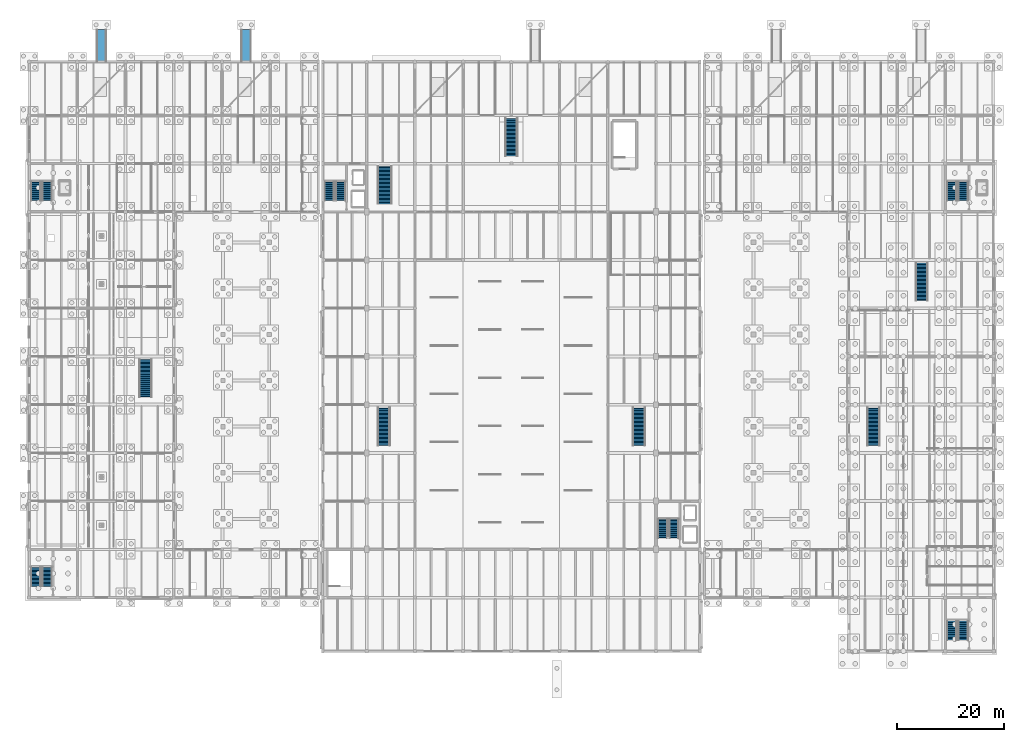
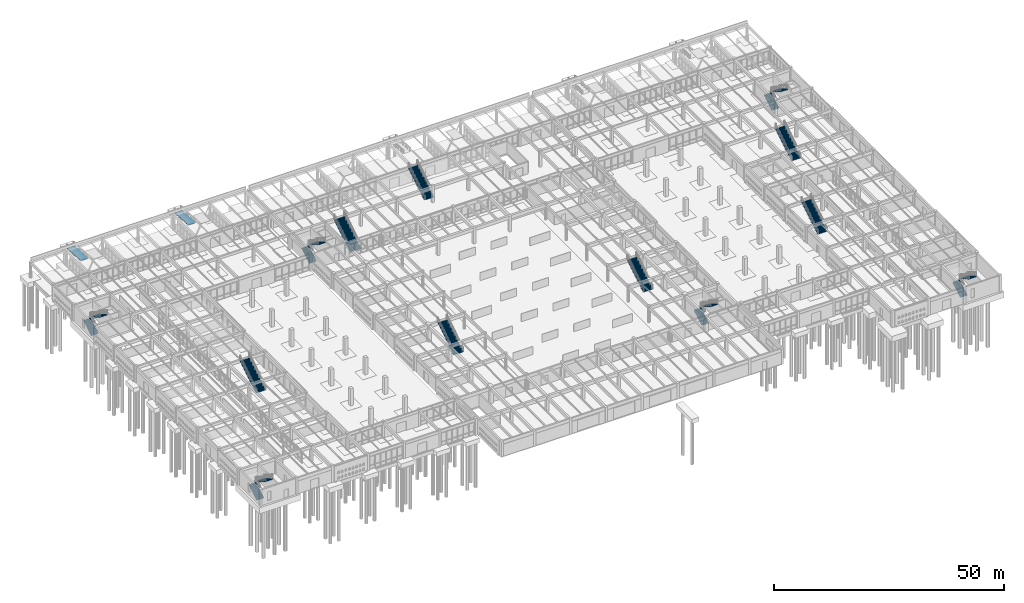
# One storey, part 171 of 186: 19 stair flights, 2 ramp flights, 15 elements without a shape of their own.
"""IFC4 building model written with IfcOpenShell, lengths in metres."""

from ifc_helpers import new_model, si_unit, direction, frame, origin, place, context, subcontext, project, spatial, polyline, outline, extrude, material, type_object, element, aggregate, save


model = new_model("IFC4")

# Units and contexts
model_context = context("Model", 3, precision=1e-05, world=origin(), true_north=direction((0.0, 1.0)))
body_context = subcontext(model_context, "Body", "Model", "MODEL_VIEW")
ifc_project = project(units=[si_unit("LENGTHUNIT", "METRE"), si_unit("AREAUNIT", "SQUARE_METRE"), si_unit("VOLUMEUNIT", "CUBIC_METRE"), si_unit("PLANEANGLEUNIT", "RADIAN"), si_unit("MASSUNIT", "GRAM", prefix="KILO")], contexts=[model_context])

# Site, building, storey
site_placement = place(None, origin())
site = spatial("IfcSite", under=ifc_project, at=site_placement, CompositionType="ELEMENT")
building_placement = place(site_placement, origin())
building = spatial("IfcBuilding", under=site, at=building_placement, Name="Ornek Quay Market", CompositionType="ELEMENT")
storey_placement = place(building_placement, origin())
storey = spatial("IfcBuildingStorey", under=building, at=storey_placement, Name="L00", CompositionType="ELEMENT", Elevation=0.0)

# Stair, stair flights
ifc_material = material(Name="Precast concrete C40/50", Category="concrete")
stair_type_1 = type_object("IfcStairType", Name="ST-CORE-L00-L01", PredefinedType="HALF_TURN_STAIR", material=ifc_material)
stair_1_placement = place(storey_placement, origin())
stair_1 = element("IfcStair", 1, at=stair_1_placement, inside=storey, type_object=stair_type_1, Name="Core stair ST-01-L00 (L00 to L01)", PredefinedType="HALF_TURN_STAIR")
stair_flight_type_1 = type_object("IfcStairFlightType", Name="STF-1800-WAIST200", PredefinedType="STRAIGHT", material=ifc_material)
stair_flight_1_placement = place(storey_placement, frame((1.199951171875, 94.095947265625, 0.0), z_axis=(0.0, 0.0, 1.0), x_axis=(0.0, 1.0, 0.0)))
stair_flight_1 = element("IfcStairFlight", 2, at=stair_flight_1_placement, type_object=stair_flight_type_1, Name="ST-01-L00 flight 1", NumberOfRisers=15, NumberOfTreads=14, PredefinedType="STRAIGHT", RiserHeight=0.15, TreadLength=0.25, context=body_context, shape_type="SweptSolid", body=[
    extrude(outline(polyline([(0.0, 0.0), (0.0, 0.14990234375), (0.25, 0.14990234375), (0.25, 0.300048828125), (0.5, 0.300048828125), (0.5, 0.449951171875), (0.75, 0.449951171875), (0.75, 0.60009765625), (1.0, 0.60009765625), (1.0, 0.75), (1.25, 0.75), (1.25, 0.89990234375), (1.5, 0.89990234375), (1.5, 1.050048828125), (1.75, 1.050048828125), (1.75, 1.199951171875), (2.0, 1.199951171875), (2.0, 1.35009765625), (2.25, 1.35009765625), (2.25, 1.5), (2.5, 1.5), (2.5, 1.64990234375), (2.75, 1.64990234375), (2.75, 1.800048828125), (3.0, 1.800048828125), (3.0, 1.949951171875), (3.25, 1.949951171875), (3.25, 2.10009765625), (3.5, 2.10009765625), (3.5, 2.25), (3.5, 1.907470703125), (0.32080078125, 0.0), (0.0, 0.0)])), frame((0.0, 0.89990234375, 0.0), z_axis=(0.0, -1.0, 0.0), x_axis=(1.0, 0.0, 0.0)), (0.0, 0.0, 1.0), 1.800048828125),
])
stair_flight_2_placement = place(storey_placement, frame((3.39990234375, 97.595947265625, 2.25), z_axis=(0.0, 0.0, 1.0), x_axis=(0.0, -1.0, 0.0)))
stair_flight_2 = element("IfcStairFlight", 3, at=stair_flight_2_placement, type_object=stair_flight_type_1, Name="ST-01-L00 flight 2", NumberOfRisers=15, NumberOfTreads=14, PredefinedType="STRAIGHT", RiserHeight=0.15, TreadLength=0.25, context=body_context, shape_type="SweptSolid", body=[
    extrude(outline(polyline([(0.0, 0.0), (0.0, 0.14990234375), (0.25, 0.14990234375), (0.25, 0.300048828125), (0.5, 0.300048828125), (0.5, 0.449951171875), (0.75, 0.449951171875), (0.75, 0.60009765625), (1.0, 0.60009765625), (1.0, 0.75), (1.25, 0.75), (1.25, 0.89990234375), (1.5, 0.89990234375), (1.5, 1.050048828125), (1.75, 1.050048828125), (1.75, 1.199951171875), (2.0, 1.199951171875), (2.0, 1.35009765625), (2.25, 1.35009765625), (2.25, 1.5), (2.5, 1.5), (2.5, 1.64990234375), (2.75, 1.64990234375), (2.75, 1.800048828125), (3.0, 1.800048828125), (3.0, 1.949951171875), (3.25, 1.949951171875), (3.25, 2.10009765625), (3.5, 2.10009765625), (3.5, 2.25), (3.5, 1.907470703125), (0.32080078125, 0.0), (0.0, 0.0)])), frame((0.0, 0.89990234375, 0.0), z_axis=(0.0, -1.0, 0.0), x_axis=(1.0, 0.0, 0.0)), (0.0, 0.0, 1.0), 1.800048828125),
])
aggregate(stair_1, [stair_flight_1, stair_flight_2])

stair_2_placement = place(storey_placement, origin())
stair_2 = element("IfcStair", 4, at=stair_2_placement, inside=storey, type_object=stair_type_1, Name="Core stair ST-02-L00 (L00 to L01)", PredefinedType="HALF_TURN_STAIR")
stair_flight_3_placement = place(storey_placement, frame((1.199951171875, 22.095947265625, 0.0), z_axis=(0.0, 0.0, 1.0), x_axis=(0.0, 1.0, 0.0)))
stair_flight_3 = element("IfcStairFlight", 5, at=stair_flight_3_placement, type_object=stair_flight_type_1, Name="ST-02-L00 flight 1", NumberOfRisers=15, NumberOfTreads=14, PredefinedType="STRAIGHT", RiserHeight=0.15, TreadLength=0.25, context=body_context, shape_type="SweptSolid", body=[
    extrude(outline(polyline([(0.0, 0.0), (0.0, 0.14990234375), (0.25, 0.14990234375), (0.25, 0.300048828125), (0.5, 0.300048828125), (0.5, 0.449951171875), (0.75, 0.449951171875), (0.75, 0.60009765625), (1.0, 0.60009765625), (1.0, 0.75), (1.25, 0.75), (1.25, 0.89990234375), (1.5, 0.89990234375), (1.5, 1.050048828125), (1.75, 1.050048828125), (1.75, 1.199951171875), (2.0, 1.199951171875), (2.0, 1.35009765625), (2.25, 1.35009765625), (2.25, 1.5), (2.5, 1.5), (2.5, 1.64990234375), (2.75, 1.64990234375), (2.75, 1.800048828125), (3.0, 1.800048828125), (3.0, 1.949951171875), (3.25, 1.949951171875), (3.25, 2.10009765625), (3.5, 2.10009765625), (3.5, 2.25), (3.5, 1.907470703125), (0.32080078125, 0.0), (0.0, 0.0)])), frame((0.0, 0.89990234375, 0.0), z_axis=(0.0, -1.0, 0.0), x_axis=(1.0, 0.0, 0.0)), (0.0, 0.0, 1.0), 1.800048828125),
])
stair_flight_4_placement = place(storey_placement, frame((3.39990234375, 25.595947265625, 2.25), z_axis=(0.0, 0.0, 1.0), x_axis=(0.0, -1.0, 0.0)))
stair_flight_4 = element("IfcStairFlight", 6, at=stair_flight_4_placement, type_object=stair_flight_type_1, Name="ST-02-L00 flight 2", NumberOfRisers=15, NumberOfTreads=14, PredefinedType="STRAIGHT", RiserHeight=0.15, TreadLength=0.25, context=body_context, shape_type="SweptSolid", body=[
    extrude(outline(polyline([(0.0, 0.0), (0.0, 0.14990234375), (0.25, 0.14990234375), (0.25, 0.300048828125), (0.5, 0.300048828125), (0.5, 0.449951171875), (0.75, 0.449951171875), (0.75, 0.60009765625), (1.0, 0.60009765625), (1.0, 0.75), (1.25, 0.75), (1.25, 0.89990234375), (1.5, 0.89990234375), (1.5, 1.050048828125), (1.75, 1.050048828125), (1.75, 1.199951171875), (2.0, 1.199951171875), (2.0, 1.35009765625), (2.25, 1.35009765625), (2.25, 1.5), (2.5, 1.5), (2.5, 1.64990234375), (2.75, 1.64990234375), (2.75, 1.800048828125), (3.0, 1.800048828125), (3.0, 1.949951171875), (3.25, 1.949951171875), (3.25, 2.10009765625), (3.5, 2.10009765625), (3.5, 2.25), (3.5, 1.907470703125), (0.32080078125, 0.0), (0.0, 0.0)])), frame((0.0, 0.89990234375, 0.0), z_axis=(0.0, -1.0, 0.0), x_axis=(1.0, 0.0, 0.0)), (0.0, 0.0, 1.0), 1.800048828125),
])
aggregate(stair_2, [stair_flight_3, stair_flight_4])

stair_3_placement = place(storey_placement, origin())
stair_3 = element("IfcStair", 7, at=stair_3_placement, inside=storey, type_object=stair_type_1, Name="Core stair ST-03-L00 (L00 to L01)", PredefinedType="HALF_TURN_STAIR")
stair_flight_5_placement = place(storey_placement, frame((56.0, 94.095947265625, 0.0), z_axis=(0.0, 0.0, 1.0), x_axis=(0.0, 1.0, 0.0)))
stair_flight_5 = element("IfcStairFlight", 8, at=stair_flight_5_placement, type_object=stair_flight_type_1, Name="ST-03-L00 flight 1", NumberOfRisers=15, NumberOfTreads=14, PredefinedType="STRAIGHT", RiserHeight=0.15, TreadLength=0.25, context=body_context, shape_type="SweptSolid", body=[
    extrude(outline(polyline([(0.0, 0.0), (0.0, 0.14990234375), (0.25, 0.14990234375), (0.25, 0.300048828125), (0.5, 0.300048828125), (0.5, 0.449951171875), (0.75, 0.449951171875), (0.75, 0.60009765625), (1.0, 0.60009765625), (1.0, 0.75), (1.25, 0.75), (1.25, 0.89990234375), (1.5, 0.89990234375), (1.5, 1.050048828125), (1.75, 1.050048828125), (1.75, 1.199951171875), (2.0, 1.199951171875), (2.0, 1.35009765625), (2.25, 1.35009765625), (2.25, 1.5), (2.5, 1.5), (2.5, 1.64990234375), (2.75, 1.64990234375), (2.75, 1.800048828125), (3.0, 1.800048828125), (3.0, 1.949951171875), (3.25, 1.949951171875), (3.25, 2.10009765625), (3.5, 2.10009765625), (3.5, 2.25), (3.5, 1.907470703125), (0.32080078125, 0.0), (0.0, 0.0)])), frame((0.0, 0.89990234375, 0.0), z_axis=(0.0, -1.0, 0.0), x_axis=(1.0, 0.0, 0.0)), (0.0, 0.0, 1.0), 1.800048828125),
])
stair_flight_6_placement = place(storey_placement, frame((58.199951171875, 97.595947265625, 2.25), z_axis=(0.0, 0.0, 1.0), x_axis=(0.0, -1.0, 0.0)))
stair_flight_6 = element("IfcStairFlight", 9, at=stair_flight_6_placement, type_object=stair_flight_type_1, Name="ST-03-L00 flight 2", NumberOfRisers=15, NumberOfTreads=14, PredefinedType="STRAIGHT", RiserHeight=0.15, TreadLength=0.25, context=body_context, shape_type="SweptSolid", body=[
    extrude(outline(polyline([(0.0, 0.0), (0.0, 0.14990234375), (0.25, 0.14990234375), (0.25, 0.300048828125), (0.5, 0.300048828125), (0.5, 0.449951171875), (0.75, 0.449951171875), (0.75, 0.60009765625), (1.0, 0.60009765625), (1.0, 0.75), (1.25, 0.75), (1.25, 0.89990234375), (1.5, 0.89990234375), (1.5, 1.050048828125), (1.75, 1.050048828125), (1.75, 1.199951171875), (2.0, 1.199951171875), (2.0, 1.35009765625), (2.25, 1.35009765625), (2.25, 1.5), (2.5, 1.5), (2.5, 1.64990234375), (2.75, 1.64990234375), (2.75, 1.800048828125), (3.0, 1.800048828125), (3.0, 1.949951171875), (3.25, 1.949951171875), (3.25, 2.10009765625), (3.5, 2.10009765625), (3.5, 2.25), (3.5, 1.907470703125), (0.32080078125, 0.0), (0.0, 0.0)])), frame((0.0, 0.89990234375, 0.0), z_axis=(0.0, -1.0, 0.0), x_axis=(1.0, 0.0, 0.0)), (0.0, 0.0, 1.0), 1.800048828125),
])
aggregate(stair_3, [stair_flight_5, stair_flight_6])

stair_4_placement = place(storey_placement, origin())
stair_4 = element("IfcStair", 10, at=stair_4_placement, inside=storey, type_object=stair_type_1, Name="Core stair ST-04-L00 (L00 to L01)", PredefinedType="HALF_TURN_STAIR")
stair_flight_7_placement = place(storey_placement, frame((118.199951171875, 31.095947265625, 0.0), z_axis=(0.0, 0.0, 1.0), x_axis=(0.0, 1.0, 0.0)))
stair_flight_7 = element("IfcStairFlight", 11, at=stair_flight_7_placement, type_object=stair_flight_type_1, Name="ST-04-L00 flight 1", NumberOfRisers=15, NumberOfTreads=14, PredefinedType="STRAIGHT", RiserHeight=0.15, TreadLength=0.25, context=body_context, shape_type="SweptSolid", body=[
    extrude(outline(polyline([(0.0, 0.0), (0.0, 0.14990234375), (0.25, 0.14990234375), (0.25, 0.300048828125), (0.5, 0.300048828125), (0.5, 0.449951171875), (0.75, 0.449951171875), (0.75, 0.60009765625), (1.0, 0.60009765625), (1.0, 0.75), (1.25, 0.75), (1.25, 0.89990234375), (1.5, 0.89990234375), (1.5, 1.050048828125), (1.75, 1.050048828125), (1.75, 1.199951171875), (2.0, 1.199951171875), (2.0, 1.35009765625), (2.25, 1.35009765625), (2.25, 1.5), (2.5, 1.5), (2.5, 1.64990234375), (2.75, 1.64990234375), (2.75, 1.800048828125), (3.0, 1.800048828125), (3.0, 1.949951171875), (3.25, 1.949951171875), (3.25, 2.10009765625), (3.5, 2.10009765625), (3.5, 2.25), (3.5, 1.907470703125), (0.32080078125, 0.0), (0.0, 0.0)])), frame((0.0, 0.89990234375, 0.0), z_axis=(0.0, -1.0, 0.0), x_axis=(1.0, 0.0, 0.0)), (0.0, 0.0, 1.0), 1.800048828125),
])
stair_flight_8_placement = place(storey_placement, frame((120.39990234375, 34.595947265625, 2.25), z_axis=(0.0, 0.0, 1.0), x_axis=(0.0, -1.0, 0.0)))
stair_flight_8 = element("IfcStairFlight", 12, at=stair_flight_8_placement, type_object=stair_flight_type_1, Name="ST-04-L00 flight 2", NumberOfRisers=15, NumberOfTreads=14, PredefinedType="STRAIGHT", RiserHeight=0.15, TreadLength=0.25, context=body_context, shape_type="SweptSolid", body=[
    extrude(outline(polyline([(0.0, 0.0), (0.0, 0.14990234375), (0.25, 0.14990234375), (0.25, 0.300048828125), (0.5, 0.300048828125), (0.5, 0.449951171875), (0.75, 0.449951171875), (0.75, 0.60009765625), (1.0, 0.60009765625), (1.0, 0.75), (1.25, 0.75), (1.25, 0.89990234375), (1.5, 0.89990234375), (1.5, 1.050048828125), (1.75, 1.050048828125), (1.75, 1.199951171875), (2.0, 1.199951171875), (2.0, 1.35009765625), (2.25, 1.35009765625), (2.25, 1.5), (2.5, 1.5), (2.5, 1.64990234375), (2.75, 1.64990234375), (2.75, 1.800048828125), (3.0, 1.800048828125), (3.0, 1.949951171875), (3.25, 1.949951171875), (3.25, 2.10009765625), (3.5, 2.10009765625), (3.5, 2.25), (3.5, 1.907470703125), (0.32080078125, 0.0), (0.0, 0.0)])), frame((0.0, 0.89990234375, 0.0), z_axis=(0.0, -1.0, 0.0), x_axis=(1.0, 0.0, 0.0)), (0.0, 0.0, 1.0), 1.800048828125),
])
aggregate(stair_4, [stair_flight_7, stair_flight_8])

stair_5_placement = place(storey_placement, origin())
stair_5 = element("IfcStair", 13, at=stair_5_placement, inside=storey, type_object=stair_type_1, Name="Core stair ST-05-L00 (L00 to L01)", PredefinedType="HALF_TURN_STAIR")
stair_flight_9_placement = place(storey_placement, frame((172.199951171875, 94.095947265625, 0.0), z_axis=(0.0, 0.0, 1.0), x_axis=(0.0, 1.0, 0.0)))
stair_flight_9 = element("IfcStairFlight", 14, at=stair_flight_9_placement, type_object=stair_flight_type_1, Name="ST-05-L00 flight 1", NumberOfRisers=15, NumberOfTreads=14, PredefinedType="STRAIGHT", RiserHeight=0.15, TreadLength=0.25, context=body_context, shape_type="SweptSolid", body=[
    extrude(outline(polyline([(0.0, 0.0), (0.0, 0.14990234375), (0.25, 0.14990234375), (0.25, 0.300048828125), (0.5, 0.300048828125), (0.5, 0.449951171875), (0.75, 0.449951171875), (0.75, 0.60009765625), (1.0, 0.60009765625), (1.0, 0.75), (1.25, 0.75), (1.25, 0.89990234375), (1.5, 0.89990234375), (1.5, 1.050048828125), (1.75, 1.050048828125), (1.75, 1.199951171875), (2.0, 1.199951171875), (2.0, 1.35009765625), (2.25, 1.35009765625), (2.25, 1.5), (2.5, 1.5), (2.5, 1.64990234375), (2.75, 1.64990234375), (2.75, 1.800048828125), (3.0, 1.800048828125), (3.0, 1.949951171875), (3.25, 1.949951171875), (3.25, 2.10009765625), (3.5, 2.10009765625), (3.5, 2.25), (3.5, 1.907470703125), (0.32080078125, 0.0), (0.0, 0.0)])), frame((0.0, 0.89990234375, 0.0), z_axis=(0.0, -1.0, 0.0), x_axis=(1.0, 0.0, 0.0)), (0.0, 0.0, 1.0), 1.800048828125),
])
stair_flight_10_placement = place(storey_placement, frame((174.39990234375, 97.595947265625, 2.25), z_axis=(0.0, 0.0, 1.0), x_axis=(0.0, -1.0, 0.0)))
stair_flight_10 = element("IfcStairFlight", 15, at=stair_flight_10_placement, type_object=stair_flight_type_1, Name="ST-05-L00 flight 2", NumberOfRisers=15, NumberOfTreads=14, PredefinedType="STRAIGHT", RiserHeight=0.15, TreadLength=0.25, context=body_context, shape_type="SweptSolid", body=[
    extrude(outline(polyline([(0.0, 0.0), (0.0, 0.14990234375), (0.25, 0.14990234375), (0.25, 0.300048828125), (0.5, 0.300048828125), (0.5, 0.449951171875), (0.75, 0.449951171875), (0.75, 0.60009765625), (1.0, 0.60009765625), (1.0, 0.75), (1.25, 0.75), (1.25, 0.89990234375), (1.5, 0.89990234375), (1.5, 1.050048828125), (1.75, 1.050048828125), (1.75, 1.199951171875), (2.0, 1.199951171875), (2.0, 1.35009765625), (2.25, 1.35009765625), (2.25, 1.5), (2.5, 1.5), (2.5, 1.64990234375), (2.75, 1.64990234375), (2.75, 1.800048828125), (3.0, 1.800048828125), (3.0, 1.949951171875), (3.25, 1.949951171875), (3.25, 2.10009765625), (3.5, 2.10009765625), (3.5, 2.25), (3.5, 1.907470703125), (0.32080078125, 0.0), (0.0, 0.0)])), frame((0.0, 0.89990234375, 0.0), z_axis=(0.0, -1.0, 0.0), x_axis=(1.0, 0.0, 0.0)), (0.0, 0.0, 1.0), 1.800048828125),
])
aggregate(stair_5, [stair_flight_9, stair_flight_10])

stair_6_placement = place(storey_placement, origin())
stair_6 = element("IfcStair", 16, at=stair_6_placement, inside=storey, type_object=stair_type_1, Name="Core stair ST-06-L00 (L00 to L01)", PredefinedType="HALF_TURN_STAIR")
stair_flight_11_placement = place(storey_placement, frame((172.199951171875, 12.095947265625, 0.0), z_axis=(0.0, 0.0, 1.0), x_axis=(0.0, 1.0, 0.0)))
stair_flight_11 = element("IfcStairFlight", 17, at=stair_flight_11_placement, type_object=stair_flight_type_1, Name="ST-06-L00 flight 1", NumberOfRisers=15, NumberOfTreads=14, PredefinedType="STRAIGHT", RiserHeight=0.15, TreadLength=0.25, context=body_context, shape_type="SweptSolid", body=[
    extrude(outline(polyline([(0.0, 0.0), (0.0, 0.14990234375), (0.25, 0.14990234375), (0.25, 0.300048828125), (0.5, 0.300048828125), (0.5, 0.449951171875), (0.75, 0.449951171875), (0.75, 0.60009765625), (1.0, 0.60009765625), (1.0, 0.75), (1.25, 0.75), (1.25, 0.89990234375), (1.5, 0.89990234375), (1.5, 1.050048828125), (1.75, 1.050048828125), (1.75, 1.199951171875), (2.0, 1.199951171875), (2.0, 1.35009765625), (2.25, 1.35009765625), (2.25, 1.5), (2.5, 1.5), (2.5, 1.64990234375), (2.75, 1.64990234375), (2.75, 1.800048828125), (3.0, 1.800048828125), (3.0, 1.949951171875), (3.25, 1.949951171875), (3.25, 2.10009765625), (3.5, 2.10009765625), (3.5, 2.25), (3.5, 1.907470703125), (0.32080078125, 0.0), (0.0, 0.0)])), frame((0.0, 0.89990234375, 0.0), z_axis=(0.0, -1.0, 0.0), x_axis=(1.0, 0.0, 0.0)), (0.0, 0.0, 1.0), 1.800048828125),
])
stair_flight_12_placement = place(storey_placement, frame((174.39990234375, 15.595947265625, 2.25), z_axis=(0.0, 0.0, 1.0), x_axis=(0.0, -1.0, 0.0)))
stair_flight_12 = element("IfcStairFlight", 18, at=stair_flight_12_placement, type_object=stair_flight_type_1, Name="ST-06-L00 flight 2", NumberOfRisers=15, NumberOfTreads=14, PredefinedType="STRAIGHT", RiserHeight=0.15, TreadLength=0.25, context=body_context, shape_type="SweptSolid", body=[
    extrude(outline(polyline([(0.0, 0.0), (0.0, 0.14990234375), (0.25, 0.14990234375), (0.25, 0.300048828125), (0.5, 0.300048828125), (0.5, 0.449951171875), (0.75, 0.449951171875), (0.75, 0.60009765625), (1.0, 0.60009765625), (1.0, 0.75), (1.25, 0.75), (1.25, 0.89990234375), (1.5, 0.89990234375), (1.5, 1.050048828125), (1.75, 1.050048828125), (1.75, 1.199951171875), (2.0, 1.199951171875), (2.0, 1.35009765625), (2.25, 1.35009765625), (2.25, 1.5), (2.5, 1.5), (2.5, 1.64990234375), (2.75, 1.64990234375), (2.75, 1.800048828125), (3.0, 1.800048828125), (3.0, 1.949951171875), (3.25, 1.949951171875), (3.25, 2.10009765625), (3.5, 2.10009765625), (3.5, 2.25), (3.5, 1.907470703125), (0.32080078125, 0.0), (0.0, 0.0)])), frame((0.0, 0.89990234375, 0.0), z_axis=(0.0, -1.0, 0.0), x_axis=(1.0, 0.0, 0.0)), (0.0, 0.0, 1.0), 1.800048828125),
])
aggregate(stair_6, [stair_flight_11, stair_flight_12])

# Stair, stair flight
stair_type_2 = type_object("IfcStairType", Name="ST-HALL-GAL-L00", PredefinedType="STRAIGHT_RUN_STAIR", material=ifc_material)
stair_7_placement = place(storey_placement, origin())
stair_7 = element("IfcStair", 19, at=stair_7_placement, inside=storey, type_object=stair_type_2, Name="Gallery stair ST-07 (L00 to L01)", PredefinedType="STRAIGHT_RUN_STAIR")
stair_flight_13_placement = place(storey_placement, frame((66.199951171875, 48.404052734375, 0.0), z_axis=(0.0, 0.0, 1.0), x_axis=(0.0, 1.0, 0.0)))
stair_flight_13 = element("IfcStairFlight", 20, at=stair_flight_13_placement, type_object=stair_flight_type_1, Name="ST-07 flight 1", NumberOfRisers=29, NumberOfTreads=28, PredefinedType="STRAIGHT", RiserHeight=0.155172414, TreadLength=0.25, context=body_context, shape_type="SweptSolid", body=[
    extrude(outline(polyline([(0.0, 0.0), (0.0, 0.1552734375), (0.25, 0.1552734375), (0.25, 0.310302734375), (0.5, 0.310302734375), (0.5, 0.465576171875), (0.75, 0.465576171875), (0.75, 0.62060546875), (1.0, 0.62060546875), (1.0, 0.77587890625), (1.25, 0.77587890625), (1.25, 0.93115234375), (1.5, 0.93115234375), (1.5, 1.086181640625), (1.75, 1.086181640625), (1.75, 1.241455078125), (2.0, 1.241455078125), (2.0, 1.396484375), (2.25, 1.396484375), (2.25, 1.5517578125), (2.5, 1.5517578125), (2.5, 1.706787109375), (2.75, 1.706787109375), (2.75, 1.862060546875), (3.0, 1.862060546875), (3.0, 2.017333984375), (3.25, 2.017333984375), (3.25, 2.17236328125), (3.5, 2.17236328125), (3.5, 2.32763671875), (3.75, 2.32763671875), (3.75, 2.482666015625), (4.0, 2.482666015625), (4.0, 2.637939453125), (4.25, 2.637939453125), (4.25, 2.793212890625), (4.5, 2.793212890625), (4.5, 2.9482421875), (4.75, 2.9482421875), (4.75, 3.103515625), (5.0, 3.103515625), (5.0, 3.258544921875), (5.25, 3.258544921875), (5.25, 3.413818359375), (5.5, 3.413818359375), (5.5, 3.56884765625), (5.75, 3.56884765625), (5.75, 3.72412109375), (6.0, 3.72412109375), (6.0, 3.87939453125), (6.25, 3.87939453125), (6.25, 4.034423828125), (6.5, 4.034423828125), (6.5, 4.189697265625), (6.75, 4.189697265625), (6.75, 4.3447265625), (7.0, 4.3447265625), (7.0, 4.5), (7.0, 4.133056640625), (0.34130859375, 0.0), (0.0, 0.0)])), frame((0.0, 1.18017578125, 0.0), z_axis=(0.0, -1.0, 0.0), x_axis=(1.0, 0.0, 0.0)), (0.0, 0.0, 1.0), 2.360107421875),
])
aggregate(stair_7, [stair_flight_13])

stair_8_placement = place(storey_placement, origin())
stair_8 = element("IfcStair", 21, at=stair_8_placement, inside=storey, type_object=stair_type_2, Name="Gallery stair ST-08 (L00 to L01)", PredefinedType="STRAIGHT_RUN_STAIR")
stair_flight_14_placement = place(storey_placement, frame((113.800048828125, 48.404052734375, 0.0), z_axis=(0.0, 0.0, 1.0), x_axis=(0.0, 1.0, 0.0)))
stair_flight_14 = element("IfcStairFlight", 22, at=stair_flight_14_placement, type_object=stair_flight_type_1, Name="ST-08 flight 1", NumberOfRisers=29, NumberOfTreads=28, PredefinedType="STRAIGHT", RiserHeight=0.155172414, TreadLength=0.25, context=body_context, shape_type="SweptSolid", body=[
    extrude(outline(polyline([(0.0, 0.0), (0.0, 0.1552734375), (0.25, 0.1552734375), (0.25, 0.310302734375), (0.5, 0.310302734375), (0.5, 0.465576171875), (0.75, 0.465576171875), (0.75, 0.62060546875), (1.0, 0.62060546875), (1.0, 0.77587890625), (1.25, 0.77587890625), (1.25, 0.93115234375), (1.5, 0.93115234375), (1.5, 1.086181640625), (1.75, 1.086181640625), (1.75, 1.241455078125), (2.0, 1.241455078125), (2.0, 1.396484375), (2.25, 1.396484375), (2.25, 1.5517578125), (2.5, 1.5517578125), (2.5, 1.706787109375), (2.75, 1.706787109375), (2.75, 1.862060546875), (3.0, 1.862060546875), (3.0, 2.017333984375), (3.25, 2.017333984375), (3.25, 2.17236328125), (3.5, 2.17236328125), (3.5, 2.32763671875), (3.75, 2.32763671875), (3.75, 2.482666015625), (4.0, 2.482666015625), (4.0, 2.637939453125), (4.25, 2.637939453125), (4.25, 2.793212890625), (4.5, 2.793212890625), (4.5, 2.9482421875), (4.75, 2.9482421875), (4.75, 3.103515625), (5.0, 3.103515625), (5.0, 3.258544921875), (5.25, 3.258544921875), (5.25, 3.413818359375), (5.5, 3.413818359375), (5.5, 3.56884765625), (5.75, 3.56884765625), (5.75, 3.72412109375), (6.0, 3.72412109375), (6.0, 3.87939453125), (6.25, 3.87939453125), (6.25, 4.034423828125), (6.5, 4.034423828125), (6.5, 4.189697265625), (6.75, 4.189697265625), (6.75, 4.3447265625), (7.0, 4.3447265625), (7.0, 4.5), (7.0, 4.133056640625), (0.34130859375, 0.0), (0.0, 0.0)])), frame((0.0, 1.18017578125, 0.0), z_axis=(0.0, -1.0, 0.0), x_axis=(1.0, 0.0, 0.0)), (0.0, 0.0, 1.0), 2.360107421875),
])
aggregate(stair_8, [stair_flight_14])

stair_9_placement = place(storey_placement, origin())
stair_9 = element("IfcStair", 23, at=stair_9_placement, inside=storey, type_object=stair_type_2, Name="Gallery stair ST-12 (L00 to L01)", PredefinedType="STRAIGHT_RUN_STAIR")
stair_flight_15_placement = place(storey_placement, frame((21.699951171875, 57.404052734375, 0.0), z_axis=(0.0, 0.0, 1.0), x_axis=(0.0, 1.0, 0.0)))
stair_flight_15 = element("IfcStairFlight", 24, at=stair_flight_15_placement, type_object=stair_flight_type_1, Name="ST-12 flight 1", NumberOfRisers=29, NumberOfTreads=28, PredefinedType="STRAIGHT", RiserHeight=0.155172414, TreadLength=0.25, context=body_context, shape_type="SweptSolid", body=[
    extrude(outline(polyline([(0.0, 0.0), (0.0, 0.1552734375), (0.25, 0.1552734375), (0.25, 0.310302734375), (0.5, 0.310302734375), (0.5, 0.465576171875), (0.75, 0.465576171875), (0.75, 0.62060546875), (1.0, 0.62060546875), (1.0, 0.77587890625), (1.25, 0.77587890625), (1.25, 0.93115234375), (1.5, 0.93115234375), (1.5, 1.086181640625), (1.75, 1.086181640625), (1.75, 1.241455078125), (2.0, 1.241455078125), (2.0, 1.396484375), (2.25, 1.396484375), (2.25, 1.5517578125), (2.5, 1.5517578125), (2.5, 1.706787109375), (2.75, 1.706787109375), (2.75, 1.862060546875), (3.0, 1.862060546875), (3.0, 2.017333984375), (3.25, 2.017333984375), (3.25, 2.17236328125), (3.5, 2.17236328125), (3.5, 2.32763671875), (3.75, 2.32763671875), (3.75, 2.482666015625), (4.0, 2.482666015625), (4.0, 2.637939453125), (4.25, 2.637939453125), (4.25, 2.793212890625), (4.5, 2.793212890625), (4.5, 2.9482421875), (4.75, 2.9482421875), (4.75, 3.103515625), (5.0, 3.103515625), (5.0, 3.258544921875), (5.25, 3.258544921875), (5.25, 3.413818359375), (5.5, 3.413818359375), (5.5, 3.56884765625), (5.75, 3.56884765625), (5.75, 3.72412109375), (6.0, 3.72412109375), (6.0, 3.87939453125), (6.25, 3.87939453125), (6.25, 4.034423828125), (6.5, 4.034423828125), (6.5, 4.189697265625), (6.75, 4.189697265625), (6.75, 4.3447265625), (7.0, 4.3447265625), (7.0, 4.5), (7.0, 4.133056640625), (0.34130859375, 0.0), (0.0, 0.0)])), frame((0.0, 1.18017578125, 0.0), z_axis=(0.0, -1.0, 0.0), x_axis=(1.0, 0.0, 0.0)), (0.0, 0.0, 1.0), 2.360107421875),
])
aggregate(stair_9, [stair_flight_15])

stair_10_placement = place(storey_placement, origin())
stair_10 = element("IfcStair", 25, at=stair_10_placement, inside=storey, type_object=stair_type_2, Name="Gallery stair ST-13 (L00 to L01)", PredefinedType="STRAIGHT_RUN_STAIR")
stair_flight_16_placement = place(storey_placement, frame((166.60009765625, 75.404052734375, 0.0), z_axis=(0.0, 0.0, 1.0), x_axis=(0.0, 1.0, 0.0)))
stair_flight_16 = element("IfcStairFlight", 26, at=stair_flight_16_placement, type_object=stair_flight_type_1, Name="ST-13 flight 1", NumberOfRisers=29, NumberOfTreads=28, PredefinedType="STRAIGHT", RiserHeight=0.155172414, TreadLength=0.25, context=body_context, shape_type="SweptSolid", body=[
    extrude(outline(polyline([(0.0, 0.0), (0.0, 0.1552734375), (0.25, 0.1552734375), (0.25, 0.310302734375), (0.5, 0.310302734375), (0.5, 0.465576171875), (0.75, 0.465576171875), (0.75, 0.62060546875), (1.0, 0.62060546875), (1.0, 0.77587890625), (1.25, 0.77587890625), (1.25, 0.93115234375), (1.5, 0.93115234375), (1.5, 1.086181640625), (1.75, 1.086181640625), (1.75, 1.241455078125), (2.0, 1.241455078125), (2.0, 1.396484375), (2.25, 1.396484375), (2.25, 1.5517578125), (2.5, 1.5517578125), (2.5, 1.706787109375), (2.75, 1.706787109375), (2.75, 1.862060546875), (3.0, 1.862060546875), (3.0, 2.017333984375), (3.25, 2.017333984375), (3.25, 2.17236328125), (3.5, 2.17236328125), (3.5, 2.32763671875), (3.75, 2.32763671875), (3.75, 2.482666015625), (4.0, 2.482666015625), (4.0, 2.637939453125), (4.25, 2.637939453125), (4.25, 2.793212890625), (4.5, 2.793212890625), (4.5, 2.9482421875), (4.75, 2.9482421875), (4.75, 3.103515625), (5.0, 3.103515625), (5.0, 3.258544921875), (5.25, 3.258544921875), (5.25, 3.413818359375), (5.5, 3.413818359375), (5.5, 3.56884765625), (5.75, 3.56884765625), (5.75, 3.72412109375), (6.0, 3.72412109375), (6.0, 3.87939453125), (6.25, 3.87939453125), (6.25, 4.034423828125), (6.5, 4.034423828125), (6.5, 4.189697265625), (6.75, 4.189697265625), (6.75, 4.3447265625), (7.0, 4.3447265625), (7.0, 4.5), (7.0, 4.133056640625), (0.34130859375, 0.0), (0.0, 0.0)])), frame((0.0, 1.18017578125, 0.0), z_axis=(0.0, -1.0, 0.0), x_axis=(1.0, 0.0, 0.0)), (0.0, 0.0, 1.0), 2.360107421875),
])
aggregate(stair_10, [stair_flight_16])

stair_11_placement = place(storey_placement, origin())
stair_11 = element("IfcStair", 27, at=stair_11_placement, inside=storey, type_object=stair_type_2, Name="Gallery stair ST-15 (L00 to L01)", PredefinedType="STRAIGHT_RUN_STAIR")
stair_flight_17_placement = place(storey_placement, frame((157.60009765625, 48.404052734375, 0.0), z_axis=(0.0, 0.0, 1.0), x_axis=(0.0, 1.0, 0.0)))
stair_flight_17 = element("IfcStairFlight", 28, at=stair_flight_17_placement, type_object=stair_flight_type_1, Name="ST-15 flight 1", NumberOfRisers=29, NumberOfTreads=28, PredefinedType="STRAIGHT", RiserHeight=0.155172414, TreadLength=0.25, context=body_context, shape_type="SweptSolid", body=[
    extrude(outline(polyline([(0.0, 0.0), (0.0, 0.1552734375), (0.25, 0.1552734375), (0.25, 0.310302734375), (0.5, 0.310302734375), (0.5, 0.465576171875), (0.75, 0.465576171875), (0.75, 0.62060546875), (1.0, 0.62060546875), (1.0, 0.77587890625), (1.25, 0.77587890625), (1.25, 0.93115234375), (1.5, 0.93115234375), (1.5, 1.086181640625), (1.75, 1.086181640625), (1.75, 1.241455078125), (2.0, 1.241455078125), (2.0, 1.396484375), (2.25, 1.396484375), (2.25, 1.5517578125), (2.5, 1.5517578125), (2.5, 1.706787109375), (2.75, 1.706787109375), (2.75, 1.862060546875), (3.0, 1.862060546875), (3.0, 2.017333984375), (3.25, 2.017333984375), (3.25, 2.17236328125), (3.5, 2.17236328125), (3.5, 2.32763671875), (3.75, 2.32763671875), (3.75, 2.482666015625), (4.0, 2.482666015625), (4.0, 2.637939453125), (4.25, 2.637939453125), (4.25, 2.793212890625), (4.5, 2.793212890625), (4.5, 2.9482421875), (4.75, 2.9482421875), (4.75, 3.103515625), (5.0, 3.103515625), (5.0, 3.258544921875), (5.25, 3.258544921875), (5.25, 3.413818359375), (5.5, 3.413818359375), (5.5, 3.56884765625), (5.75, 3.56884765625), (5.75, 3.72412109375), (6.0, 3.72412109375), (6.0, 3.87939453125), (6.25, 3.87939453125), (6.25, 4.034423828125), (6.5, 4.034423828125), (6.5, 4.189697265625), (6.75, 4.189697265625), (6.75, 4.3447265625), (7.0, 4.3447265625), (7.0, 4.5), (7.0, 4.133056640625), (0.34130859375, 0.0), (0.0, 0.0)])), frame((0.0, 1.18017578125, 0.0), z_axis=(0.0, -1.0, 0.0), x_axis=(1.0, 0.0, 0.0)), (0.0, 0.0, 1.0), 2.360107421875),
])
aggregate(stair_11, [stair_flight_17])

stair_type_3 = type_object("IfcStairType", Name="ST-CONC-FEATURE", PredefinedType="STRAIGHT_RUN_STAIR", material=ifc_material)
stair_12_placement = place(storey_placement, origin())
stair_12 = element("IfcStair", 29, at=stair_12_placement, inside=storey, type_object=stair_type_3, Name="Gallery stair ST-11 (L00 to L01)", PredefinedType="STRAIGHT_RUN_STAIR")
stair_flight_type_2 = type_object("IfcStairFlightType", Name="STF-2100-WAIST220", PredefinedType="STRAIGHT", material=ifc_material)
stair_flight_18_placement = place(storey_placement, frame((66.35009765625, 93.50390625, 0.0), z_axis=(0.0, 0.0, 1.0), x_axis=(0.0, 1.0, 0.0)))
stair_flight_18 = element("IfcStairFlight", 30, at=stair_flight_18_placement, type_object=stair_flight_type_2, Name="ST-11 flight 1", NumberOfRisers=29, NumberOfTreads=28, PredefinedType="STRAIGHT", RiserHeight=0.155172414, TreadLength=0.25, context=body_context, shape_type="SweptSolid", body=[
    extrude(outline(polyline([(0.0, 0.0), (0.0, 0.1552734375), (0.25, 0.1552734375), (0.25, 0.310302734375), (0.5, 0.310302734375), (0.5, 0.465576171875), (0.75, 0.465576171875), (0.75, 0.62060546875), (1.0, 0.62060546875), (1.0, 0.77587890625), (1.25, 0.77587890625), (1.25, 0.93115234375), (1.5, 0.93115234375), (1.5, 1.086181640625), (1.75, 1.086181640625), (1.75, 1.241455078125), (2.0, 1.241455078125), (2.0, 1.396484375), (2.25, 1.396484375), (2.25, 1.5517578125), (2.5, 1.5517578125), (2.5, 1.706787109375), (2.75, 1.706787109375), (2.75, 1.862060546875), (3.0, 1.862060546875), (3.0, 2.017333984375), (3.25, 2.017333984375), (3.25, 2.17236328125), (3.5, 2.17236328125), (3.5, 2.32763671875), (3.75, 2.32763671875), (3.75, 2.482666015625), (4.0, 2.482666015625), (4.0, 2.637939453125), (4.25, 2.637939453125), (4.25, 2.793212890625), (4.5, 2.793212890625), (4.5, 2.9482421875), (4.75, 2.9482421875), (4.75, 3.103515625), (5.0, 3.103515625), (5.0, 3.258544921875), (5.25, 3.258544921875), (5.25, 3.413818359375), (5.5, 3.413818359375), (5.5, 3.56884765625), (5.75, 3.56884765625), (5.75, 3.72412109375), (6.0, 3.72412109375), (6.0, 3.87939453125), (6.25, 3.87939453125), (6.25, 4.034423828125), (6.5, 4.034423828125), (6.5, 4.189697265625), (6.75, 4.189697265625), (6.75, 4.3447265625), (7.0, 4.3447265625), (7.0, 4.5), (7.0, 4.109375), (0.379150390625, 0.0), (0.0, 0.0)])), frame((0.0, 1.330078125, 0.0), z_axis=(0.0, -1.0, 0.0), x_axis=(1.0, 0.0, 0.0)), (0.0, 0.0, 1.0), 2.659912109375),
])
aggregate(stair_12, [stair_flight_18])

stair_13_placement = place(storey_placement, origin())
stair_13 = element("IfcStair", 31, at=stair_13_placement, inside=storey, type_object=stair_type_3, Name="Gallery stair ST-17 (L00 to L01)", PredefinedType="STRAIGHT_RUN_STAIR")
stair_flight_19_placement = place(storey_placement, frame((90.0, 102.404052734375, 0.0), z_axis=(0.0, 0.0, 1.0), x_axis=(0.0, 1.0, 0.0)))
stair_flight_19 = element("IfcStairFlight", 32, at=stair_flight_19_placement, type_object=stair_flight_type_2, Name="ST-17 flight 1", NumberOfRisers=29, NumberOfTreads=28, PredefinedType="STRAIGHT", RiserHeight=0.155172414, TreadLength=0.25, context=body_context, shape_type="SweptSolid", body=[
    extrude(outline(polyline([(0.0, 0.0), (0.0, 0.1552734375), (0.25, 0.1552734375), (0.25, 0.310302734375), (0.5, 0.310302734375), (0.5, 0.465576171875), (0.75, 0.465576171875), (0.75, 0.62060546875), (1.0, 0.62060546875), (1.0, 0.77587890625), (1.25, 0.77587890625), (1.25, 0.93115234375), (1.5, 0.93115234375), (1.5, 1.086181640625), (1.75, 1.086181640625), (1.75, 1.241455078125), (2.0, 1.241455078125), (2.0, 1.396484375), (2.25, 1.396484375), (2.25, 1.5517578125), (2.5, 1.5517578125), (2.5, 1.706787109375), (2.75, 1.706787109375), (2.75, 1.862060546875), (3.0, 1.862060546875), (3.0, 2.017333984375), (3.25, 2.017333984375), (3.25, 2.17236328125), (3.5, 2.17236328125), (3.5, 2.32763671875), (3.75, 2.32763671875), (3.75, 2.482666015625), (4.0, 2.482666015625), (4.0, 2.637939453125), (4.25, 2.637939453125), (4.25, 2.793212890625), (4.5, 2.793212890625), (4.5, 2.9482421875), (4.75, 2.9482421875), (4.75, 3.103515625), (5.0, 3.103515625), (5.0, 3.258544921875), (5.25, 3.258544921875), (5.25, 3.413818359375), (5.5, 3.413818359375), (5.5, 3.56884765625), (5.75, 3.56884765625), (5.75, 3.72412109375), (6.0, 3.72412109375), (6.0, 3.87939453125), (6.25, 3.87939453125), (6.25, 4.034423828125), (6.5, 4.034423828125), (6.5, 4.189697265625), (6.75, 4.189697265625), (6.75, 4.3447265625), (7.0, 4.3447265625), (7.0, 4.5), (7.0, 4.109375), (0.379150390625, 0.0), (0.0, 0.0)])), frame((0.0, 1.18017578125, 0.0), z_axis=(0.0, -1.0, 0.0), x_axis=(1.0, 0.0, 0.0)), (0.0, 0.0, 1.0), 2.360107421875),
])
aggregate(stair_13, [stair_flight_19])

# Ramp, ramp flight
ramp_type = type_object("IfcRampType", Name="RMP-PED-QUAY-1800", PredefinedType="STRAIGHT_RUN_RAMP", material=ifc_material)
ramp_1_placement = place(storey_placement, origin())
ramp_1 = element("IfcRamp", 33, at=ramp_1_placement, inside=storey, type_object=ramp_type, Name="Quay accessible approach ramp RP-01", PredefinedType="STRAIGHT_RUN_RAMP")
ramp_flight_type = type_object("IfcRampFlightType", Name="RMPF-PED-1800", PredefinedType="STRAIGHT", material=ifc_material)
ramp_flight_1_placement = place(storey_placement, frame((13.5, 126.0, -0.300048828125), z_axis=(0.0, 0.0, 1.0), x_axis=(0.0, -1.0, 0.0)))
ramp_flight_1 = element("IfcRampFlight", 34, at=ramp_flight_1_placement, type_object=ramp_flight_type, Name="Quay accessible ramp flight RP-01.1", PredefinedType="STRAIGHT", context=body_context, shape_type="SweptSolid", body=[
    extrude(outline(polyline([(0.0, 0.0), (6.0, 0.300048828125), (6.0, 0.10009765625), (0.0, -0.199951171875), (0.0, 0.0)])), frame((0.0, 0.89990234375, 0.0), z_axis=(0.0, -1.0, 0.0), x_axis=(1.0, 0.0, 0.0)), (0.0, 0.0, 1.0), 1.800048828125),
])
aggregate(ramp_1, [ramp_flight_1])

ramp_2_placement = place(storey_placement, origin())
ramp_2 = element("IfcRamp", 35, at=ramp_2_placement, inside=storey, type_object=ramp_type, Name="Quay accessible approach ramp RP-02", PredefinedType="STRAIGHT_RUN_RAMP")
ramp_flight_2_placement = place(storey_placement, frame((40.5, 126.0, -0.300048828125), z_axis=(0.0, 0.0, 1.0), x_axis=(0.0, -1.0, 0.0)))
ramp_flight_2 = element("IfcRampFlight", 36, at=ramp_flight_2_placement, type_object=ramp_flight_type, Name="Quay accessible ramp flight RP-02.1", PredefinedType="STRAIGHT", context=body_context, shape_type="SweptSolid", body=[
    extrude(outline(polyline([(0.0, 0.0), (6.0, 0.300048828125), (6.0, 0.10009765625), (0.0, -0.199951171875), (0.0, 0.0)])), frame((0.0, 0.89990234375, 0.0), z_axis=(0.0, -1.0, 0.0), x_axis=(1.0, 0.0, 0.0)), (0.0, 0.0, 1.0), 1.800048828125),
])
aggregate(ramp_2, [ramp_flight_2])

save(model, "model.ifc")
